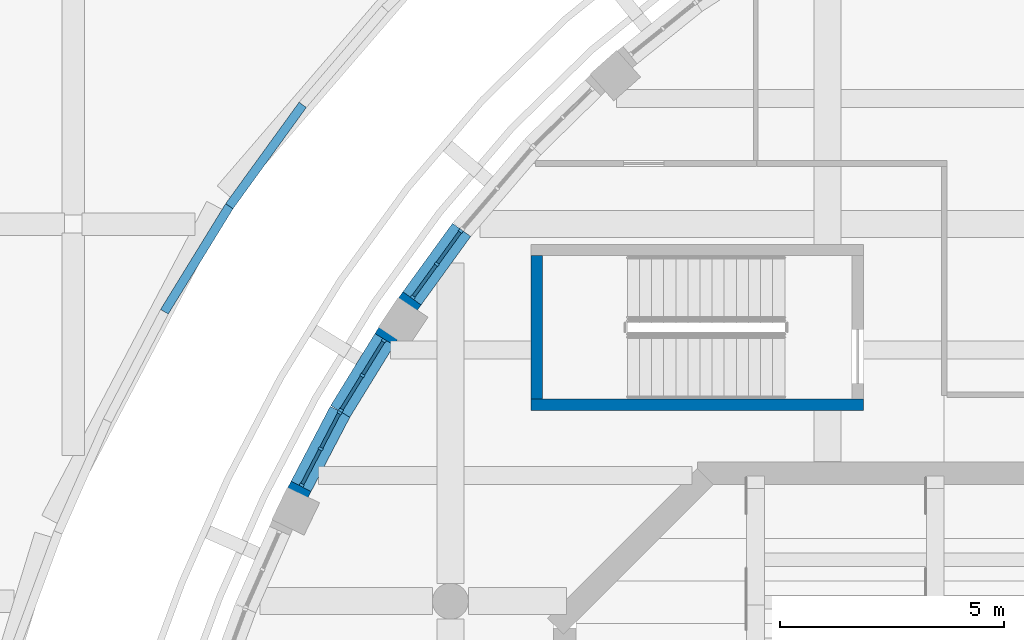
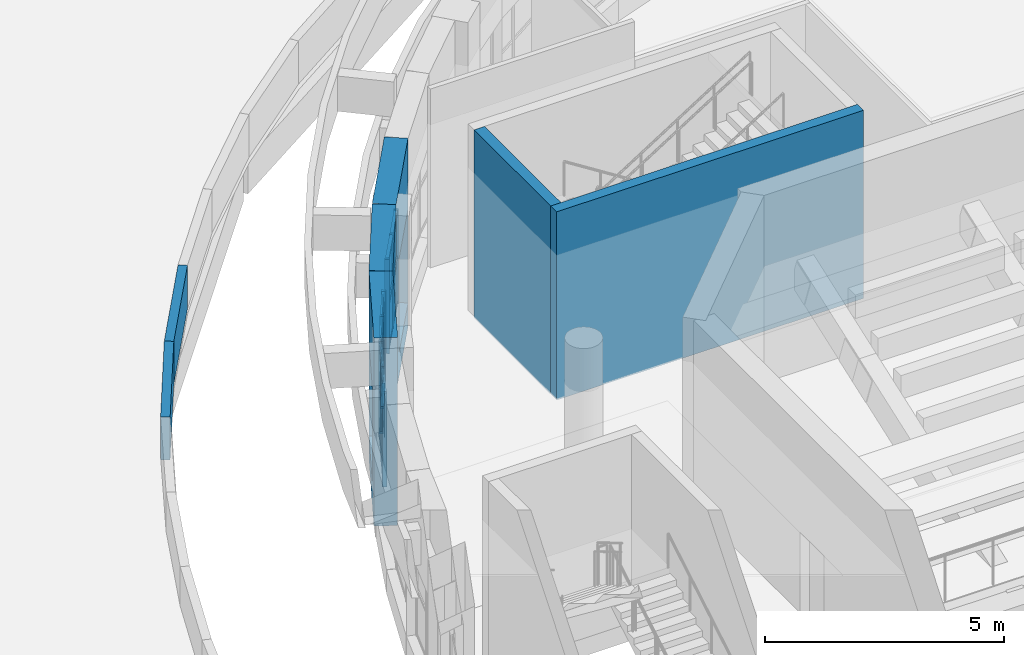
# One storey, part 29 of 79: 27 members, 12 plates, 7 walls, 3 openings, 3 elements without a shape of their own.
"""IFC4 building model written with IfcOpenShell, lengths in metres."""

from ifc_helpers import new_model, si_unit, direction, frame, frame_2d, origin, origin_2d, place, context, subcontext, project, spatial, rectangle, extrude, material, layer, layer_set, material_profile, profile_set, type_object, element, fill, aggregate, save


model = new_model("IFC4")

# Units and contexts
model_context = context("Model", 3, precision=1e-05, world=origin(), true_north=direction((0.0, 1.0)))
body_context = subcontext(model_context, "Body", "Model", "MODEL_VIEW")
ifc_project = project(units=[si_unit("LENGTHUNIT", "METRE"), si_unit("AREAUNIT", "SQUARE_METRE"), si_unit("VOLUMEUNIT", "CUBIC_METRE"), si_unit("PLANEANGLEUNIT", "RADIAN"), si_unit("MASSUNIT", "GRAM", prefix="KILO")], contexts=[model_context])

# Site, building, storey
site_placement = place(None, origin())
site = spatial("IfcSite", under=ifc_project, at=site_placement, CompositionType="ELEMENT")
building_placement = place(site_placement, origin())
building = spatial("IfcBuilding", under=site, at=building_placement, Name="Larchfold Concert Hall", CompositionType="ELEMENT")
storey_placement = place(building_placement, frame((0.0, 0.0, 14.39990234375)))
storey = spatial("IfcBuildingStorey", under=building, at=storey_placement, Name="L03", CompositionType="ELEMENT", Elevation=14.39990234375)

# Curtain wall, members
ifc_material_1 = material(Name="Anodised graphite aluminium curtain wall", Category="aluminium")
ifc_layer_1 = layer(ifc_material_1, 0.10009765625)
ifc_layer_set_1 = layer_set([ifc_layer_1], Name="Anodised graphite aluminium curtain wall")
curtain_wall_type = type_object("IfcCurtainWallType", Name="Curtain wall GB", PredefinedType="NOTDEFINED", material=ifc_layer_set_1)
curtain_wall_1_placement = place(storey_placement, origin())
curtain_wall_1 = element("IfcCurtainWall", 1, at=curtain_wall_1_placement, inside=storey, type_object=curtain_wall_type, Name="Curtain wall CW0028", PredefinedType="NOTDEFINED")
ifc_material_2 = material(Name="Anodised graphite aluminium mullion", Category="aluminium")
ifc_material_profile_1 = material_profile(ifc_material_2, rectangle(XDim=0.10009765625, YDim=0.06005859375, at=origin_2d()))
ifc_profile_set_1 = profile_set([ifc_material_profile_1], Name="Anodised graphite aluminium mullion")
member_type_1 = type_object("IfcMemberType", Name="Aluminium mullion 60x100", PredefinedType="MULLION", material=ifc_profile_set_1)
member_1_placement = place(storey_placement, frame((26.0322265625, 109.645263671875, 0.60009765625), z_axis=(0.0, 0.0, 1.0), x_axis=(0.809861417205, -0.586621244862, 0.0)))
member_1 = element("IfcMember", 2, at=member_1_placement, type_object=member_type_1, Name="CW0028 mullion 1", PredefinedType="MULLION", context=body_context, shape_type="SweptSolid", body=[
    extrude(rectangle(XDim=0.10009765625, YDim=0.06005859375, at=origin_2d()), origin(), (0.0, 0.0, 1.0), 2.39990234375),
])
member_2_placement = place(storey_placement, frame((25.497314453125, 108.906982421875, 0.60009765625), z_axis=(0.0, 0.0, 1.0), x_axis=(0.809861417205, -0.586621244862, 0.0)))
member_2 = element("IfcMember", 3, at=member_2_placement, type_object=member_type_1, Name="CW0028 mullion 2", PredefinedType="MULLION", context=body_context, shape_type="SweptSolid", body=[
    extrude(rectangle(XDim=0.10009765625, YDim=0.06005859375, at=origin_2d()), origin(), (0.0, 0.0, 1.0), 2.39990234375),
])
member_3_placement = place(storey_placement, frame((24.962646484375, 108.1689453125, 0.60009765625), z_axis=(0.0, 0.0, 1.0), x_axis=(0.809861417205, -0.586621244862, 0.0)))
member_3 = element("IfcMember", 4, at=member_3_placement, type_object=member_type_1, Name="CW0028 mullion 3", PredefinedType="MULLION", context=body_context, shape_type="SweptSolid", body=[
    extrude(rectangle(XDim=0.10009765625, YDim=0.06005859375, at=origin_2d()), origin(), (0.0, 0.0, 1.0), 2.39990234375),
])

curtain_wall_2_placement = place(storey_placement, origin())
curtain_wall_2 = element("IfcCurtainWall", 5, at=curtain_wall_2_placement, inside=storey, type_object=curtain_wall_type, Name="Curtain wall CW0029", PredefinedType="NOTDEFINED")
member_4_placement = place(storey_placement, frame((24.31787109375, 107.204345703125, 0.60009765625), z_axis=(0.0, 0.0, 1.0), x_axis=(0.851685025171, -0.524054021929, 0.0)))
member_4 = element("IfcMember", 6, at=member_4_placement, type_object=member_type_1, Name="CW0029 mullion 1", PredefinedType="MULLION", context=body_context, shape_type="SweptSolid", body=[
    extrude(rectangle(XDim=0.10009765625, YDim=0.06005859375, at=origin_2d()), origin(), (0.0, 0.0, 1.0), 2.39990234375),
])
member_5_placement = place(storey_placement, frame((23.840087890625, 106.42822265625, 0.60009765625), z_axis=(0.0, 0.0, 1.0), x_axis=(0.851685025171, -0.524054021929, 0.0)))
member_5 = element("IfcMember", 7, at=member_5_placement, type_object=member_type_1, Name="CW0029 mullion 2", PredefinedType="MULLION", context=body_context, shape_type="SweptSolid", body=[
    extrude(rectangle(XDim=0.10009765625, YDim=0.06005859375, at=origin_2d()), origin(), (0.0, 0.0, 1.0), 2.39990234375),
])
member_6_placement = place(storey_placement, frame((23.3623046875, 105.65185546875, 0.60009765625), z_axis=(0.0, 0.0, 1.0), x_axis=(0.851685025171, -0.524054021929, 0.0)))
member_6 = element("IfcMember", 8, at=member_6_placement, type_object=member_type_1, Name="CW0029 mullion 3", PredefinedType="MULLION", context=body_context, shape_type="SweptSolid", body=[
    extrude(rectangle(XDim=0.10009765625, YDim=0.06005859375, at=origin_2d()), origin(), (0.0, 0.0, 1.0), 2.39990234375),
])

curtain_wall_3_placement = place(storey_placement, origin())
curtain_wall_3 = element("IfcCurtainWall", 9, at=curtain_wall_3_placement, inside=storey, type_object=curtain_wall_type, Name="Curtain wall CW0030", PredefinedType="NOTDEFINED")
member_7_placement = place(storey_placement, frame((23.332763671875, 105.599609375, 0.60009765625), z_axis=(0.0, 0.0, 1.0), x_axis=(0.886272610396, -0.463163966713, 0.0)))
member_7 = element("IfcMember", 10, at=member_7_placement, type_object=member_type_1, Name="CW0030 mullion 1", PredefinedType="MULLION", context=body_context, shape_type="SweptSolid", body=[
    extrude(rectangle(XDim=0.10009765625, YDim=0.06005859375, at=origin_2d()), origin(), (0.0, 0.0, 1.0), 2.39990234375),
])
member_8_placement = place(storey_placement, frame((22.91064453125, 104.791748046875, 0.60009765625), z_axis=(0.0, 0.0, 1.0), x_axis=(0.886272610396, -0.463163966713, 0.0)))
member_8 = element("IfcMember", 11, at=member_8_placement, type_object=member_type_1, Name="CW0030 mullion 2", PredefinedType="MULLION", context=body_context, shape_type="SweptSolid", body=[
    extrude(rectangle(XDim=0.10009765625, YDim=0.06005859375, at=origin_2d()), origin(), (0.0, 0.0, 1.0), 2.39990234375),
])
member_9_placement = place(storey_placement, frame((22.48828125, 103.983642578125, 0.60009765625), z_axis=(0.0, 0.0, 1.0), x_axis=(0.886272610396, -0.463163966713, 0.0)))
member_9 = element("IfcMember", 12, at=member_9_placement, type_object=member_type_1, Name="CW0030 mullion 3", PredefinedType="MULLION", context=body_context, shape_type="SweptSolid", body=[
    extrude(rectangle(XDim=0.10009765625, YDim=0.06005859375, at=origin_2d()), origin(), (0.0, 0.0, 1.0), 2.39990234375),
])

# Member
ifc_material_3 = material(Name="Anodised graphite aluminium transom", Category="aluminium")
ifc_material_profile_2 = material_profile(ifc_material_3, rectangle(XDim=0.080078125, YDim=0.06005859375, at=origin_2d()))
ifc_profile_set_2 = profile_set([ifc_material_profile_2], Name="Anodised graphite aluminium transom")
member_type_2 = type_object("IfcMemberType", Name="Aluminium transom 60x80", PredefinedType="USERDEFINED", material=ifc_profile_set_2)
member_10_placement = place(storey_placement, frame((26.0146484375, 109.62109375, 0.630126953125), z_axis=(-0.586568177357, -0.809899853878, 0.0), x_axis=(0.809899853878, -0.586568177357, 0.0)))
member_10 = element("IfcMember", 13, at=member_10_placement, type_object=member_type_2, Name="CW0028 transom 1.1", ObjectType="TRANSOM", PredefinedType="USERDEFINED", context=body_context, shape_type="SweptSolid", body=[
    extrude(rectangle(XDim=0.080078125, YDim=0.06005859375, at=origin_2d()), origin(), (0.0, 0.0, 1.0), 0.8515625),
])

member_11_placement = place(storey_placement, frame((26.0146484375, 109.62109375, 1.800048828125), z_axis=(-0.586568177357, -0.809899853878, 0.0), x_axis=(0.809899853878, -0.586568177357, 0.0)))
member_11 = element("IfcMember", 14, at=member_11_placement, type_object=member_type_2, Name="CW0028 transom 1.2", ObjectType="TRANSOM", PredefinedType="USERDEFINED", context=body_context, shape_type="SweptSolid", body=[
    extrude(rectangle(XDim=0.080078125, YDim=0.06005859375, at=origin_2d()), origin(), (0.0, 0.0, 1.0), 0.8515625),
])

member_12_placement = place(storey_placement, frame((26.0146484375, 109.62109375, 2.969970703125), z_axis=(-0.586568177357, -0.809899853878, 0.0), x_axis=(0.809899853878, -0.586568177357, 0.0)))
member_12 = element("IfcMember", 15, at=member_12_placement, type_object=member_type_2, Name="CW0028 transom 1.3", ObjectType="TRANSOM", PredefinedType="USERDEFINED", context=body_context, shape_type="SweptSolid", body=[
    extrude(rectangle(XDim=0.080078125, YDim=0.06005859375, at=origin_2d()), origin(), (0.0, 0.0, 1.0), 0.8515625),
])

member_13_placement = place(storey_placement, frame((25.479736328125, 108.8828125, 0.630126953125), z_axis=(-0.586568177357, -0.809899853878, 0.0), x_axis=(0.809899853878, -0.586568177357, 0.0)))
member_13 = element("IfcMember", 16, at=member_13_placement, type_object=member_type_2, Name="CW0028 transom 2.1", ObjectType="TRANSOM", PredefinedType="USERDEFINED", context=body_context, shape_type="SweptSolid", body=[
    extrude(rectangle(XDim=0.080078125, YDim=0.06005859375, at=origin_2d()), origin(), (0.0, 0.0, 1.0), 0.8515625),
])

member_14_placement = place(storey_placement, frame((25.479736328125, 108.8828125, 1.800048828125), z_axis=(-0.586568177357, -0.809899853878, 0.0), x_axis=(0.809899853878, -0.586568177357, 0.0)))
member_14 = element("IfcMember", 17, at=member_14_placement, type_object=member_type_2, Name="CW0028 transom 2.2", ObjectType="TRANSOM", PredefinedType="USERDEFINED", context=body_context, shape_type="SweptSolid", body=[
    extrude(rectangle(XDim=0.080078125, YDim=0.06005859375, at=origin_2d()), origin(), (0.0, 0.0, 1.0), 0.8515625),
])

member_15_placement = place(storey_placement, frame((25.479736328125, 108.8828125, 2.969970703125), z_axis=(-0.586568177357, -0.809899853878, 0.0), x_axis=(0.809899853878, -0.586568177357, 0.0)))
member_15 = element("IfcMember", 18, at=member_15_placement, type_object=member_type_2, Name="CW0028 transom 2.3", ObjectType="TRANSOM", PredefinedType="USERDEFINED", context=body_context, shape_type="SweptSolid", body=[
    extrude(rectangle(XDim=0.080078125, YDim=0.06005859375, at=origin_2d()), origin(), (0.0, 0.0, 1.0), 0.8515625),
])

member_16_placement = place(storey_placement, frame((24.302001953125, 107.178955078125, 0.630126953125), z_axis=(-0.524033446248, -0.85169768534, 0.0), x_axis=(0.85169768534, -0.524033446248, 0.0)))
member_16 = element("IfcMember", 19, at=member_16_placement, type_object=member_type_2, Name="CW0029 transom 1.1", ObjectType="TRANSOM", PredefinedType="USERDEFINED", context=body_context, shape_type="SweptSolid", body=[
    extrude(rectangle(XDim=0.080078125, YDim=0.06005859375, at=origin_2d()), origin(), (0.0, 0.0, 1.0), 0.8515625),
])

member_17_placement = place(storey_placement, frame((24.302001953125, 107.178955078125, 1.800048828125), z_axis=(-0.524033446248, -0.85169768534, 0.0), x_axis=(0.85169768534, -0.524033446248, 0.0)))
member_17 = element("IfcMember", 20, at=member_17_placement, type_object=member_type_2, Name="CW0029 transom 1.2", ObjectType="TRANSOM", PredefinedType="USERDEFINED", context=body_context, shape_type="SweptSolid", body=[
    extrude(rectangle(XDim=0.080078125, YDim=0.06005859375, at=origin_2d()), origin(), (0.0, 0.0, 1.0), 0.8515625),
])

member_18_placement = place(storey_placement, frame((24.302001953125, 107.178955078125, 2.969970703125), z_axis=(-0.524033446248, -0.85169768534, 0.0), x_axis=(0.85169768534, -0.524033446248, 0.0)))
member_18 = element("IfcMember", 21, at=member_18_placement, type_object=member_type_2, Name="CW0029 transom 1.3", ObjectType="TRANSOM", PredefinedType="USERDEFINED", context=body_context, shape_type="SweptSolid", body=[
    extrude(rectangle(XDim=0.080078125, YDim=0.06005859375, at=origin_2d()), origin(), (0.0, 0.0, 1.0), 0.8515625),
])

member_19_placement = place(storey_placement, frame((23.824462890625, 106.402587890625, 0.630126953125), z_axis=(-0.524033446248, -0.85169768534, 0.0), x_axis=(0.85169768534, -0.524033446248, 0.0)))
member_19 = element("IfcMember", 22, at=member_19_placement, type_object=member_type_2, Name="CW0029 transom 2.1", ObjectType="TRANSOM", PredefinedType="USERDEFINED", context=body_context, shape_type="SweptSolid", body=[
    extrude(rectangle(XDim=0.080078125, YDim=0.06005859375, at=origin_2d()), origin(), (0.0, 0.0, 1.0), 0.8515625),
])

member_20_placement = place(storey_placement, frame((23.824462890625, 106.402587890625, 1.800048828125), z_axis=(-0.524033446248, -0.85169768534, 0.0), x_axis=(0.85169768534, -0.524033446248, 0.0)))
member_20 = element("IfcMember", 23, at=member_20_placement, type_object=member_type_2, Name="CW0029 transom 2.2", ObjectType="TRANSOM", PredefinedType="USERDEFINED", context=body_context, shape_type="SweptSolid", body=[
    extrude(rectangle(XDim=0.080078125, YDim=0.06005859375, at=origin_2d()), origin(), (0.0, 0.0, 1.0), 0.8515625),
])

member_21_placement = place(storey_placement, frame((23.824462890625, 106.402587890625, 2.969970703125), z_axis=(-0.524033446248, -0.85169768534, 0.0), x_axis=(0.85169768534, -0.524033446248, 0.0)))
member_21 = element("IfcMember", 24, at=member_21_placement, type_object=member_type_2, Name="CW0029 transom 2.3", ObjectType="TRANSOM", PredefinedType="USERDEFINED", context=body_context, shape_type="SweptSolid", body=[
    extrude(rectangle(XDim=0.080078125, YDim=0.06005859375, at=origin_2d()), origin(), (0.0, 0.0, 1.0), 0.8515625),
])

member_22_placement = place(storey_placement, frame((23.31884765625, 105.572998046875, 0.630126953125), z_axis=(-0.463192812603, -0.886257535005, 0.0), x_axis=(0.886257535005, -0.463192812603, 0.0)))
member_22 = element("IfcMember", 25, at=member_22_placement, type_object=member_type_2, Name="CW0030 transom 1.1", ObjectType="TRANSOM", PredefinedType="USERDEFINED", context=body_context, shape_type="SweptSolid", body=[
    extrude(rectangle(XDim=0.080078125, YDim=0.06005859375, at=origin_2d()), origin(), (0.0, 0.0, 1.0), 0.851806640625),
])

member_23_placement = place(storey_placement, frame((23.31884765625, 105.572998046875, 1.800048828125), z_axis=(-0.463192812603, -0.886257535005, 0.0), x_axis=(0.886257535005, -0.463192812603, 0.0)))
member_23 = element("IfcMember", 26, at=member_23_placement, type_object=member_type_2, Name="CW0030 transom 1.2", ObjectType="TRANSOM", PredefinedType="USERDEFINED", context=body_context, shape_type="SweptSolid", body=[
    extrude(rectangle(XDim=0.080078125, YDim=0.06005859375, at=origin_2d()), origin(), (0.0, 0.0, 1.0), 0.851806640625),
])

member_24_placement = place(storey_placement, frame((23.31884765625, 105.572998046875, 2.969970703125), z_axis=(-0.463192812603, -0.886257535005, 0.0), x_axis=(0.886257535005, -0.463192812603, 0.0)))
member_24 = element("IfcMember", 27, at=member_24_placement, type_object=member_type_2, Name="CW0030 transom 1.3", ObjectType="TRANSOM", PredefinedType="USERDEFINED", context=body_context, shape_type="SweptSolid", body=[
    extrude(rectangle(XDim=0.080078125, YDim=0.06005859375, at=origin_2d()), origin(), (0.0, 0.0, 1.0), 0.851806640625),
])

member_25_placement = place(storey_placement, frame((22.896728515625, 104.76513671875, 0.630126953125), z_axis=(-0.463192812603, -0.886257535005, 0.0), x_axis=(0.886257535005, -0.463192812603, 0.0)))
member_25 = element("IfcMember", 28, at=member_25_placement, type_object=member_type_2, Name="CW0030 transom 2.1", ObjectType="TRANSOM", PredefinedType="USERDEFINED", context=body_context, shape_type="SweptSolid", body=[
    extrude(rectangle(XDim=0.080078125, YDim=0.06005859375, at=origin_2d()), origin(), (0.0, 0.0, 1.0), 0.851806640625),
])

member_26_placement = place(storey_placement, frame((22.896728515625, 104.76513671875, 1.800048828125), z_axis=(-0.463192812603, -0.886257535005, 0.0), x_axis=(0.886257535005, -0.463192812603, 0.0)))
member_26 = element("IfcMember", 29, at=member_26_placement, type_object=member_type_2, Name="CW0030 transom 2.2", ObjectType="TRANSOM", PredefinedType="USERDEFINED", context=body_context, shape_type="SweptSolid", body=[
    extrude(rectangle(XDim=0.080078125, YDim=0.06005859375, at=origin_2d()), origin(), (0.0, 0.0, 1.0), 0.851806640625),
])

member_27_placement = place(storey_placement, frame((22.896728515625, 104.76513671875, 2.969970703125), z_axis=(-0.463192812603, -0.886257535005, 0.0), x_axis=(0.886257535005, -0.463192812603, 0.0)))
member_27 = element("IfcMember", 30, at=member_27_placement, type_object=member_type_2, Name="CW0030 transom 2.3", ObjectType="TRANSOM", PredefinedType="USERDEFINED", context=body_context, shape_type="SweptSolid", body=[
    extrude(rectangle(XDim=0.080078125, YDim=0.06005859375, at=origin_2d()), origin(), (0.0, 0.0, 1.0), 0.851806640625),
])

# Plate
ifc_material_4 = material(Name="Insulated glazing unit, glass", Category="glass")
ifc_layer_2 = layer(ifc_material_4, 0.02392578125)
ifc_layer_set_2 = layer_set([ifc_layer_2], Name="Insulated glazing unit, glass")
plate_type_1 = type_object("IfcPlateType", Name="Glass panel 24", PredefinedType="CURTAIN_PANEL", material=ifc_layer_set_2)
plate_1_placement = place(storey_placement, frame((25.764892578125, 109.276123046875, 1.830078125), z_axis=(0.0, 0.0, 1.0), x_axis=(-0.586621244862, -0.809861417205, 0.0)))
plate_1 = element("IfcPlate", 31, at=plate_1_placement, type_object=plate_type_1, Name="CW0028 panel 1.2", PredefinedType="CURTAIN_PANEL", context=body_context, shape_type="SweptSolid", body=[
    extrude(rectangle(XDim=0.8515625, YDim=0.02392578125, at=origin_2d()), origin(), (0.0, 0.0, 1.0), 1.10986328125),
])

plate_2_placement = place(storey_placement, frame((25.22998046875, 108.5380859375, 1.830078125), z_axis=(0.0, 0.0, 1.0), x_axis=(-0.586621244862, -0.809861417205, 0.0)))
plate_2 = element("IfcPlate", 32, at=plate_2_placement, type_object=plate_type_1, Name="CW0028 panel 2.2", PredefinedType="CURTAIN_PANEL", context=body_context, shape_type="SweptSolid", body=[
    extrude(rectangle(XDim=0.8515625, YDim=0.02392578125, at=origin_2d()), origin(), (0.0, 0.0, 1.0), 1.10986328125),
])

plate_3_placement = place(storey_placement, frame((24.078857421875, 106.816162109375, 1.830078125), z_axis=(0.0, 0.0, 1.0), x_axis=(-0.524054021929, -0.851685025171, 0.0)))
plate_3 = element("IfcPlate", 33, at=plate_3_placement, type_object=plate_type_1, Name="CW0029 panel 1.2", PredefinedType="CURTAIN_PANEL", context=body_context, shape_type="SweptSolid", body=[
    extrude(rectangle(XDim=0.8515625, YDim=0.02392578125, at=origin_2d()), origin(), (0.0, 0.0, 1.0), 1.10986328125),
])

plate_4_placement = place(storey_placement, frame((23.601318359375, 106.0400390625, 1.830078125), z_axis=(0.0, 0.0, 1.0), x_axis=(-0.524054021929, -0.851685025171, 0.0)))
plate_4 = element("IfcPlate", 34, at=plate_4_placement, type_object=plate_type_1, Name="CW0029 panel 2.2", PredefinedType="CURTAIN_PANEL", context=body_context, shape_type="SweptSolid", body=[
    extrude(rectangle(XDim=0.8515625, YDim=0.02392578125, at=origin_2d()), origin(), (0.0, 0.0, 1.0), 1.10986328125),
])

plate_5_placement = place(storey_placement, frame((23.12158203125, 105.195556640625, 1.830078125), z_axis=(0.0, 0.0, 1.0), x_axis=(-0.463163966713, -0.886272610396, 0.0)))
plate_5 = element("IfcPlate", 35, at=plate_5_placement, type_object=plate_type_1, Name="CW0030 panel 1.2", PredefinedType="CURTAIN_PANEL", context=body_context, shape_type="SweptSolid", body=[
    extrude(rectangle(XDim=0.851806640625, YDim=0.02392578125, at=origin_2d()), origin(), (0.0, 0.0, 1.0), 1.10986328125),
])

plate_6_placement = place(storey_placement, frame((22.699462890625, 104.3876953125, 1.830078125), z_axis=(0.0, 0.0, 1.0), x_axis=(-0.463163966713, -0.886272610396, 0.0)))
plate_6 = element("IfcPlate", 36, at=plate_6_placement, type_object=plate_type_1, Name="CW0030 panel 2.2", PredefinedType="CURTAIN_PANEL", context=body_context, shape_type="SweptSolid", body=[
    extrude(rectangle(XDim=0.851806640625, YDim=0.02392578125, at=origin_2d()), origin(), (0.0, 0.0, 1.0), 1.10986328125),
])

ifc_material_5 = material(Name="White insulated panel")
ifc_layer_3 = layer(ifc_material_5, 0.050048828125)
ifc_layer_set_3 = layer_set([ifc_layer_3], Name="White insulated panel")
plate_type_2 = type_object("IfcPlateType", Name="Insulated spandrel panel 50", PredefinedType="CURTAIN_PANEL", material=ifc_layer_set_3)
plate_7_placement = place(storey_placement, frame((25.764892578125, 109.276123046875, 0.66015625), z_axis=(0.0, 0.0, 1.0), x_axis=(-0.586621244862, -0.809861417205, 0.0)))
plate_7 = element("IfcPlate", 37, at=plate_7_placement, type_object=plate_type_2, Name="CW0028 panel 1.1", PredefinedType="CURTAIN_PANEL", context=body_context, shape_type="SweptSolid", body=[
    extrude(rectangle(XDim=0.8515625, YDim=0.050048828125, at=origin_2d()), origin(), (0.0, 0.0, 1.0), 1.10986328125),
])

plate_8_placement = place(storey_placement, frame((25.22998046875, 108.5380859375, 0.66015625), z_axis=(0.0, 0.0, 1.0), x_axis=(-0.586621244862, -0.809861417205, 0.0)))
plate_8 = element("IfcPlate", 38, at=plate_8_placement, type_object=plate_type_2, Name="CW0028 panel 2.1", PredefinedType="CURTAIN_PANEL", context=body_context, shape_type="SweptSolid", body=[
    extrude(rectangle(XDim=0.8515625, YDim=0.050048828125, at=origin_2d()), origin(), (0.0, 0.0, 1.0), 1.10986328125),
])

aggregate(curtain_wall_1, [member_1, member_2, member_3, member_10, member_11, member_12, plate_7, plate_1, member_13, member_14, member_15, plate_8, plate_2])

plate_9_placement = place(storey_placement, frame((24.078857421875, 106.816162109375, 0.66015625), z_axis=(0.0, 0.0, 1.0), x_axis=(-0.524054021929, -0.851685025171, 0.0)))
plate_9 = element("IfcPlate", 39, at=plate_9_placement, type_object=plate_type_2, Name="CW0029 panel 1.1", PredefinedType="CURTAIN_PANEL", context=body_context, shape_type="SweptSolid", body=[
    extrude(rectangle(XDim=0.8515625, YDim=0.050048828125, at=origin_2d()), origin(), (0.0, 0.0, 1.0), 1.10986328125),
])

plate_10_placement = place(storey_placement, frame((23.601318359375, 106.0400390625, 0.66015625), z_axis=(0.0, 0.0, 1.0), x_axis=(-0.524054021929, -0.851685025171, 0.0)))
plate_10 = element("IfcPlate", 40, at=plate_10_placement, type_object=plate_type_2, Name="CW0029 panel 2.1", PredefinedType="CURTAIN_PANEL", context=body_context, shape_type="SweptSolid", body=[
    extrude(rectangle(XDim=0.8515625, YDim=0.050048828125, at=origin_2d()), origin(), (0.0, 0.0, 1.0), 1.10986328125),
])

aggregate(curtain_wall_2, [member_4, member_5, member_6, member_16, member_17, member_18, plate_9, plate_3, member_19, member_20, member_21, plate_10, plate_4])

plate_11_placement = place(storey_placement, frame((23.12158203125, 105.195556640625, 0.66015625), z_axis=(0.0, 0.0, 1.0), x_axis=(-0.463163966713, -0.886272610396, 0.0)))
plate_11 = element("IfcPlate", 41, at=plate_11_placement, type_object=plate_type_2, Name="CW0030 panel 1.1", PredefinedType="CURTAIN_PANEL", context=body_context, shape_type="SweptSolid", body=[
    extrude(rectangle(XDim=0.851806640625, YDim=0.050048828125, at=origin_2d()), origin(), (0.0, 0.0, 1.0), 1.10986328125),
])

plate_12_placement = place(storey_placement, frame((22.699462890625, 104.3876953125, 0.66015625), z_axis=(0.0, 0.0, 1.0), x_axis=(-0.463163966713, -0.886272610396, 0.0)))
plate_12 = element("IfcPlate", 42, at=plate_12_placement, type_object=plate_type_2, Name="CW0030 panel 2.1", PredefinedType="CURTAIN_PANEL", context=body_context, shape_type="SweptSolid", body=[
    extrude(rectangle(XDim=0.851806640625, YDim=0.050048828125, at=origin_2d()), origin(), (0.0, 0.0, 1.0), 1.10986328125),
])

aggregate(curtain_wall_3, [member_7, member_8, member_9, member_22, member_23, member_24, plate_11, plate_5, member_25, member_26, member_27, plate_12, plate_6])

# Walls
ifc_material_6 = material(Name="White render on insulated block")
ifc_layer_4 = layer(ifc_material_6, 0.199951171875)
ifc_layer_set_4 = layer_set([ifc_layer_4], Name="White render on insulated block")
wall_type_1 = type_object("IfcWallType", Name="Roof parapet 200", PredefinedType="PARAPET", material=ifc_layer_set_4)
wall_1_placement = place(storey_placement, frame((19.429931640625, 107.84716796875, 0.0), z_axis=(0.0, 0.0, 1.0), x_axis=(0.524023405059, 0.851703863412, 0.0)))
element("IfcWall", 43, at=wall_1_placement, inside=storey, type_object=wall_type_1, Name="Parapet PW0030", PredefinedType="PARAPET", context=body_context, shape_type="SweptSolid", body=[
    extrude(rectangle(XDim=2.760498046875, YDim=0.199951171875, at=frame_2d((1.38037109375, 0.0))), origin(), (0.0, 0.0, 1.0), 1.10009765625),
])
wall_2_placement = place(storey_placement, frame((20.87646484375, 110.1982421875, 0.0), z_axis=(0.0, 0.0, 1.0), x_axis=(0.586539547425, 0.809920588272, 0.0)))
element("IfcWall", 44, at=wall_2_placement, inside=storey, type_object=wall_type_1, Name="Parapet PW0031", PredefinedType="PARAPET", context=body_context, shape_type="SweptSolid", body=[
    extrude(rectangle(XDim=2.785888671875, YDim=0.199951171875, at=frame_2d((1.39306640625, 0.0))), origin(), (0.0, 0.0, 1.0), 1.10009765625),
])
ifc_material_7 = material(Name="Concrete C40/50", Category="concrete")
ifc_layer_5 = layer(ifc_material_7, 0.25)
ifc_layer_set_5 = layer_set([ifc_layer_5], Name="Concrete C40/50")
wall_type_2 = type_object("IfcWallType", Name="Wall RC 250 stair core", PredefinedType="SOLIDWALL", material=ifc_layer_set_5)
wall_3_placement = place(storey_placement, frame((27.60009765625, 105.77490234375, 0.0), z_axis=(0.0, 0.0, 1.0), x_axis=(1.0, 0.0, 0.0)))
element("IfcWall", 45, at=wall_3_placement, inside=storey, type_object=wall_type_2, Name="Wall W0038", PredefinedType="SOLIDWALL", context=body_context, shape_type="SweptSolid", body=[
    extrude(rectangle(XDim=7.39990234375, YDim=0.25, at=frame_2d((3.699951171875, 0.0))), origin(), (0.0, 0.0, 1.0), 4.800048828125),
])
wall_4_placement = place(storey_placement, frame((27.72509765625, 105.89990234375, 0.0), z_axis=(0.0, 0.0, 1.0), x_axis=(0.0, 1.0, 0.0)))
element("IfcWall", 46, at=wall_4_placement, inside=storey, type_object=wall_type_2, Name="Wall W0040", PredefinedType="SOLIDWALL", context=body_context, shape_type="SweptSolid", body=[
    extrude(rectangle(XDim=3.2001953125, YDim=0.25, at=frame_2d((1.60009765625, 0.0))), origin(), (0.0, 0.0, 1.0), 4.800048828125),
])

# Wall, opening
ifc_material_8 = material(Name="Concrete C30/37", Category="concrete")
ifc_layer_6 = layer(ifc_material_8, 0.5)
ifc_layer_set_6 = layer_set([ifc_layer_6], Name="Concrete C30/37")
wall_type_3 = type_object("IfcWallType", Name="Wall RC 500 drum facade", PredefinedType="SOLIDWALL", material=ifc_layer_set_6)
wall_5_placement = place(storey_placement, frame((26.0498046875, 109.669677734375, 0.0), z_axis=(0.0, 0.0, 1.0), x_axis=(-0.586643688245, -0.809845159918, 0.0)))
wall_5 = element("IfcWall", 47, at=wall_5_placement, inside=storey, type_object=wall_type_3, Name="Wall DW028", PredefinedType="SOLIDWALL", context=body_context, shape_type="SweptSolid", body=[
    extrude(rectangle(XDim=2.433837890625, YDim=0.5, at=frame_2d((1.216796875, 0.0))), origin(), (0.0, 0.0, 1.0), 4.800048828125),
])
opening_1_placement = place(wall_5_placement, frame((0.0, 0.0, 0.60009765625)))
opening_1 = element("IfcOpeningElement", 48, at=opening_1_placement, cuts=wall_5, Name="Opening CW0028", PredefinedType="OPENING", context=body_context, shape_type="SweptSolid", body=[
    extrude(rectangle(XDim=1.88330078125, YDim=2.39990234375, at=frame_2d((0.941650390625, 1.199951171875))), frame((0.0, 0.260009765625, 0.0), z_axis=(0.0, -1.0, 0.0), x_axis=(1.0, 0.0, 0.0)), (0.0, 0.0, 1.0), 0.52001953125),
])

fill(opening_1, curtain_wall_1)

wall_6_placement = place(storey_placement, frame((24.6220703125, 107.69873046875, 0.0), z_axis=(0.0, 0.0, 1.0), x_axis=(-0.524097425664, -0.851658316705, 0.0)))
wall_6 = element("IfcWall", 49, at=wall_6_placement, inside=storey, type_object=wall_type_3, Name="Wall DW029", PredefinedType="SOLIDWALL", context=body_context, shape_type="SweptSolid", body=[
    extrude(rectangle(XDim=2.43359375, YDim=0.5, at=frame_2d((1.216796875, 0.0))), origin(), (0.0, 0.0, 1.0), 4.800048828125),
])
opening_2_placement = place(wall_6_placement, frame((0.550537109375, 0.0, 0.60009765625)))
opening_2 = element("IfcOpeningElement", 50, at=opening_2_placement, cuts=wall_6, Name="Opening CW0029", PredefinedType="OPENING", context=body_context, shape_type="SweptSolid", body=[
    extrude(rectangle(XDim=1.883056640625, YDim=2.39990234375, at=frame_2d((0.94140625, 1.199951171875))), frame((0.0, 0.260009765625, 0.0), z_axis=(0.0, -1.0, 0.0), x_axis=(1.0, 0.0, 0.0)), (0.0, 0.0, 1.0), 0.52001953125),
])

fill(opening_2, curtain_wall_2)

wall_7_placement = place(storey_placement, frame((23.3466796875, 105.626220703125, 0.0), z_axis=(0.0, 0.0, 1.0), x_axis=(-0.463152141842, -0.886278789945, 0.0)))
wall_7 = element("IfcWall", 51, at=wall_7_placement, inside=storey, type_object=wall_type_3, Name="Wall DW030", PredefinedType="SOLIDWALL", context=body_context, shape_type="SweptSolid", body=[
    extrude(rectangle(XDim=2.433837890625, YDim=0.5, at=frame_2d((1.216796875, 0.0))), origin(), (0.0, 0.0, 1.0), 4.800048828125),
])
opening_3_placement = place(wall_7_placement, frame((0.0, 0.0, 0.60009765625)))
opening_3 = element("IfcOpeningElement", 52, at=opening_3_placement, cuts=wall_7, Name="Opening CW0030", PredefinedType="OPENING", context=body_context, shape_type="SweptSolid", body=[
    extrude(rectangle(XDim=1.88330078125, YDim=2.39990234375, at=frame_2d((0.941650390625, 1.199951171875))), frame((0.0, 0.260009765625, 0.0), z_axis=(0.0, -1.0, 0.0), x_axis=(1.0, 0.0, 0.0)), (0.0, 0.0, 1.0), 0.52001953125),
])

fill(opening_3, curtain_wall_3)

save(model, "model.ifc")
